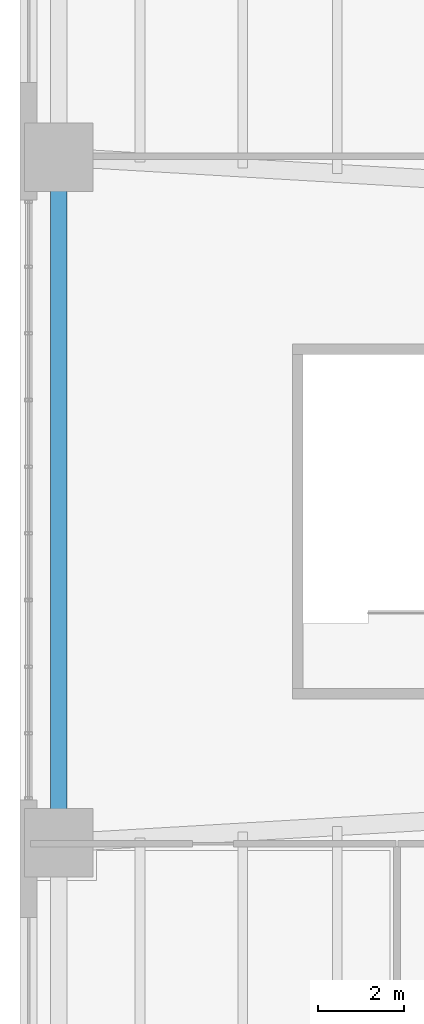
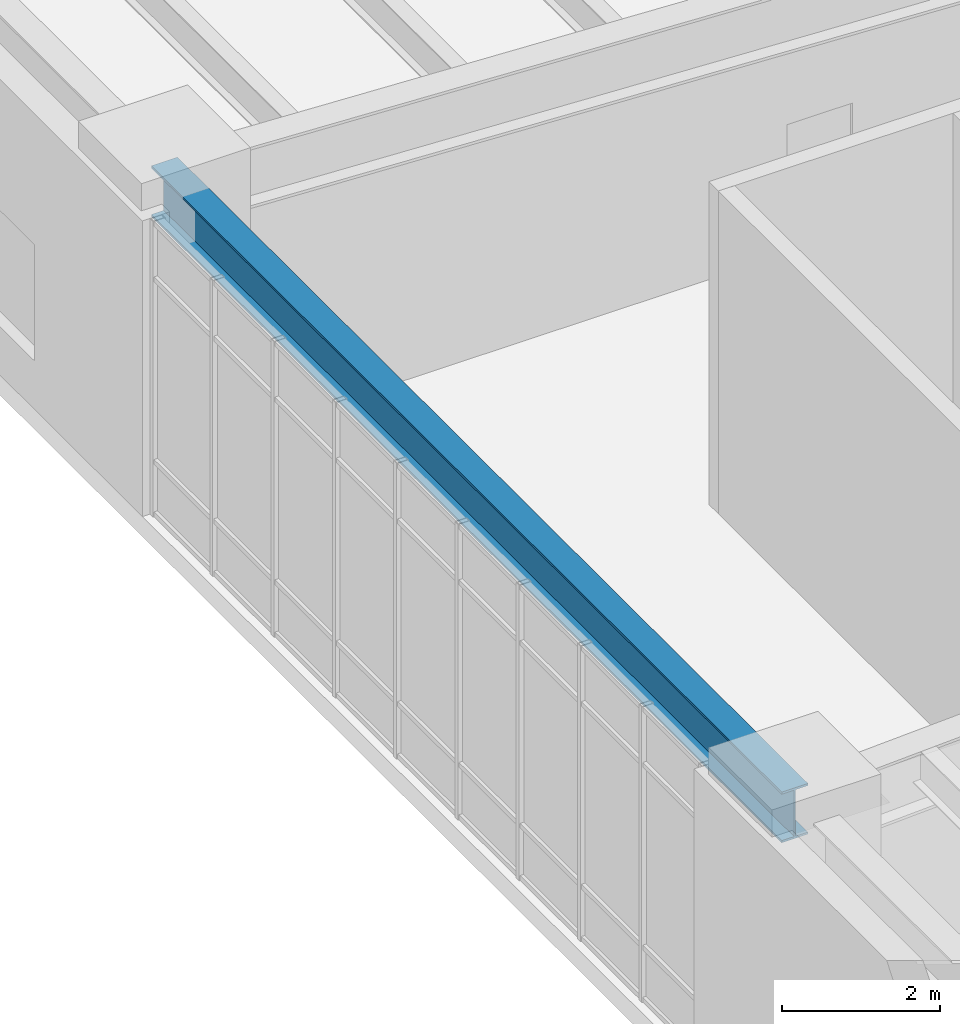
# One storey, part 3 of 18: 1 beam.
"""IFC4 building model written with IfcOpenShell, lengths in metres."""

from ifc_helpers import new_model, si_unit, direction, frame, origin, origin_2d, place, context, subcontext, project, spatial, i_section, extrude, material, material_profile, profile_set, type_object, element, save


model = new_model("IFC4")

# Units and contexts
model_context = context("Model", 3, precision=1e-05, world=origin(), true_north=direction((0.0, 1.0)))
body_context = subcontext(model_context, "Body", "Model", "MODEL_VIEW")
ifc_project = project(units=[si_unit("LENGTHUNIT", "METRE"), si_unit("AREAUNIT", "SQUARE_METRE"), si_unit("VOLUMEUNIT", "CUBIC_METRE"), si_unit("PLANEANGLEUNIT", "RADIAN"), si_unit("MASSUNIT", "GRAM", prefix="KILO"), si_unit("THERMODYNAMICTEMPERATUREUNIT", "KELVIN"), si_unit("POWERUNIT", "WATT")], contexts=[model_context])

# Site, building, storey
site_placement = place(None, origin())
site = spatial("IfcSite", under=ifc_project, at=site_placement, CompositionType="ELEMENT")
building_placement = place(site_placement, origin())
building = spatial("IfcBuilding", under=site, at=building_placement, Name="Skarre Station Tower", CompositionType="ELEMENT")
storey_placement = place(building_placement, frame((0.0, 0.0, 16.0)))
storey = spatial("IfcBuildingStorey", under=building, at=storey_placement, Name="L04", CompositionType="ELEMENT", Elevation=16.0)

# Beam
ifc_material = material(Name="Steel ASTM A992 Grade 50", Category="steel")
ifc_material_profile = material_profile(ifc_material, i_section(OverallWidth=0.384033203125, OverallDepth=0.785888671875, WebThickness=0.02001953125, FlangeThickness=0.032958984375, at=origin_2d()), Name="Steel ASTM A992 Grade 50")
ifc_profile_set = profile_set([ifc_material_profile], Name="Steel ASTM A992 Grade 50")
beam_type = type_object("IfcBeamType", Name="Steel Spandrel W30X211", PredefinedType="SPANDREL", material=ifc_profile_set)
beam_placement = place(storey_placement, frame((0.89990234375, 16.0, 4.18701171875), z_axis=(0.0, 1.0, 0.0), x_axis=(-1.0, 0.0, 0.0)))
element("IfcBeam", 1, at=beam_placement, inside=storey, type_object=beam_type, Name="L04 West Podium Spandrel 2", PredefinedType="SPANDREL", context=body_context, shape_type="SweptSolid", body=[
    extrude(i_section(OverallWidth=0.384033203125, OverallDepth=0.785888671875, WebThickness=0.02001953125, FlangeThickness=0.032958984375, at=origin_2d()), origin(), (0.0, 0.0, 1.0), 16.0),
])

save(model, "model.ifc")
